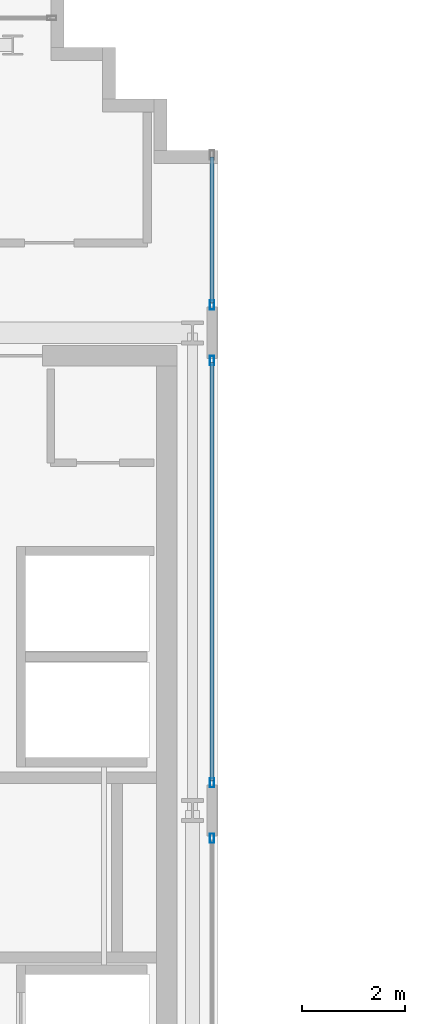
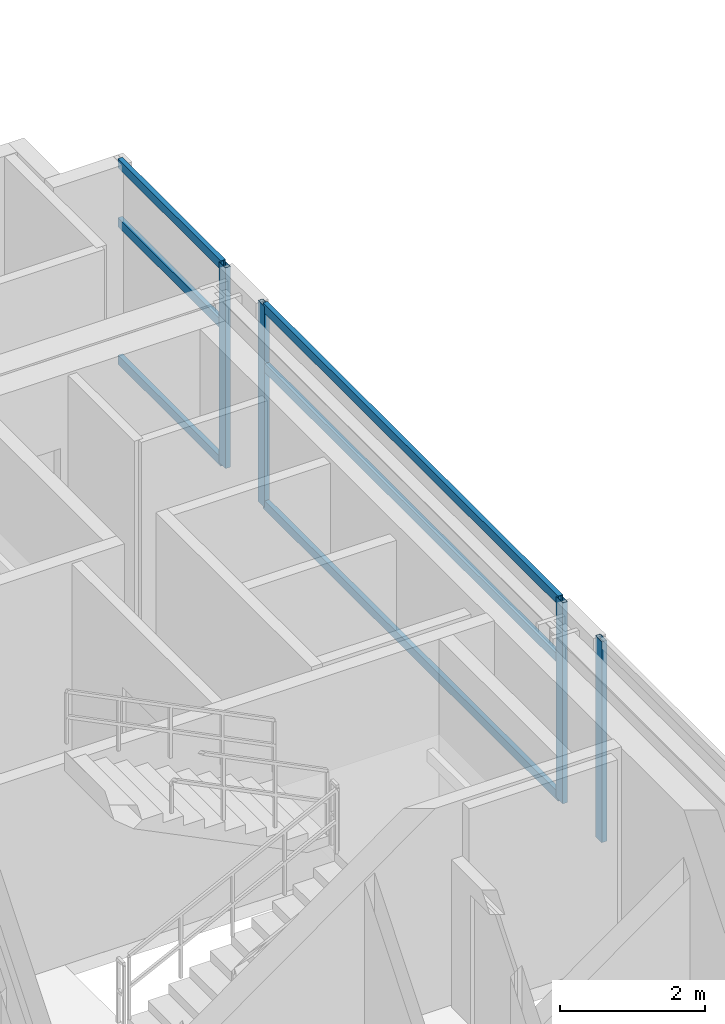
# One storey, part 7 of 25: 10 members, 3 elements without a shape of their own.
"""IFC4 building model written with IfcOpenShell, lengths in metres."""

from ifc_helpers import new_model, si_unit, direction, frame, origin, origin_2d, place, context, subcontext, project, spatial, hollow_rectangle, extrude, source, transform, mapped, material, layer, layer_set, material_profile, profile_set, type_object, element, aggregate, save


model = new_model("IFC4")

# Units and contexts
model_context = context("Model", 3, precision=1e-05, world=origin(), true_north=direction((0.0, 1.0)))
body_context = subcontext(model_context, "Body", "Model", "MODEL_VIEW")
ifc_project = project(units=[si_unit("LENGTHUNIT", "METRE"), si_unit("AREAUNIT", "SQUARE_METRE"), si_unit("VOLUMEUNIT", "CUBIC_METRE"), si_unit("PLANEANGLEUNIT", "RADIAN"), si_unit("MASSUNIT", "GRAM", prefix="KILO")], contexts=[model_context])

# Site, building, storey
site_placement = place(None, origin())
site = spatial("IfcSite", under=ifc_project, at=site_placement, CompositionType="ELEMENT")
building_placement = place(site_placement, origin())
building = spatial("IfcBuilding", under=site, at=building_placement, Name="Ocotamira Hotel", CompositionType="ELEMENT")
storey_placement = place(building_placement, frame((0.0, 0.0, 265.199951171875)))
storey = spatial("IfcBuildingStorey", under=building, at=storey_placement, Name="L67", CompositionType="ELEMENT", Elevation=265.199951171875)

# Curtain wall, member
ifc_material_1 = material(Name="Anodised pale-metal aluminium and solar glass", Category="aluminium")
ifc_layer = layer(ifc_material_1, 0.2099609375)
ifc_layer_set = layer_set([ifc_layer], Name="Anodised pale-metal aluminium and solar glass")
curtain_wall_type = type_object("IfcCurtainWallType", Name="CW-SYS7-PEAK", PredefinedType="NOTDEFINED", material=ifc_layer_set)
curtain_wall_1_placement = place(storey_placement, origin())
curtain_wall_1 = element("IfcCurtainWall", 1, at=curtain_wall_1_placement, inside=storey, type_object=curtain_wall_type, Name="L67 Curtain Wall CW-7 CW-L67-WI2", PredefinedType="NOTDEFINED")
ifc_material_2 = material(Name="Anodised pale-metal aluminium 6063-T6", Category="aluminium")
ifc_material_profile_1 = material_profile(ifc_material_2, hollow_rectangle(XDim=0.080078125, YDim=0.179931640625, WallThickness=0.006103515625, at=origin_2d()), Name="HSS180X80X6")
ifc_profile_set_1 = profile_set([ifc_material_profile_1], Name="Anodised pale-metal aluminium 6063-T6")
member_type_1 = type_object("IfcMemberType", Name="CWM-180X75", PredefinedType="MULLION", material=ifc_profile_set_1)
shared_shape_1 = source(origin(), body_context, "Body", "SweptSolid", [
    extrude(hollow_rectangle(XDim=0.080078125, YDim=0.179931640625, WallThickness=0.006103515625, at=origin_2d()), origin(), (0.0, 0.0, 1.0), 3.380126953125),
])
member_1_placement = place(storey_placement, frame((23.8798828125, 27.610107421875, 0.0), z_axis=(0.0, 0.0, 1.0), x_axis=(-1.0, 0.0, 0.0)))
member_1 = element("IfcMember", 2, at=member_1_placement, type_object=member_type_1, Name="CW-7 mullion 3", PredefinedType="MULLION", context=body_context, shape_type="MappedRepresentation", body=[
    mapped(shared_shape_1, transform((0.0, 0.0, 0.0), scale=1.0)),
])
aggregate(curtain_wall_1, [member_1])

# Curtain wall, members
curtain_wall_2_placement = place(storey_placement, origin())
curtain_wall_2 = element("IfcCurtainWall", 3, at=curtain_wall_2_placement, inside=storey, type_object=curtain_wall_type, Name="L67 Curtain Wall CW-7 CW-L67-WI3", PredefinedType="NOTDEFINED")
member_2_placement = place(storey_placement, frame((23.8798828125, 28.68994140625, 0.0), z_axis=(0.0, 0.0, 1.0), x_axis=(-1.0, 0.0, 0.0)))
member_2 = element("IfcMember", 4, at=member_2_placement, type_object=member_type_1, Name="CW-7 mullion 1", PredefinedType="MULLION", context=body_context, shape_type="MappedRepresentation", body=[
    mapped(shared_shape_1, transform((0.0, 0.0, 0.0), scale=1.0)),
])
member_3_placement = place(storey_placement, frame((23.8798828125, 36.909912109375, 0.0), z_axis=(0.0, 0.0, 1.0), x_axis=(-1.0, 0.0, 0.0)))
member_3 = element("IfcMember", 5, at=member_3_placement, type_object=member_type_1, Name="CW-7 mullion 2", PredefinedType="MULLION", context=body_context, shape_type="MappedRepresentation", body=[
    mapped(shared_shape_1, transform((0.0, 0.0, 0.0), scale=1.0)),
])

curtain_wall_3_placement = place(storey_placement, origin())
curtain_wall_3 = element("IfcCurtainWall", 6, at=curtain_wall_3_placement, inside=storey, type_object=curtain_wall_type, Name="L67 Curtain Wall CW-7 CW-L67-WI4", PredefinedType="NOTDEFINED")
member_4_placement = place(storey_placement, frame((23.8798828125, 37.989990234375, 0.0), z_axis=(0.0, 0.0, 1.0), x_axis=(-1.0, 0.0, 0.0)))
member_4 = element("IfcMember", 7, at=member_4_placement, type_object=member_type_1, Name="CW-7 mullion 1", PredefinedType="MULLION", context=body_context, shape_type="MappedRepresentation", body=[
    mapped(shared_shape_1, transform((0.0, 0.0, 0.0), scale=1.0)),
])
ifc_material_profile_2 = material_profile(ifc_material_2, hollow_rectangle(XDim=0.074951171875, YDim=0.14990234375, WallThickness=0.006103515625, at=origin_2d()), Name="HSS150X75X6")
ifc_profile_set_2 = profile_set([ifc_material_profile_2], Name="Anodised pale-metal aluminium 6063-T6")
member_type_2 = type_object("IfcMemberType", Name="CWT-150X75", PredefinedType="USERDEFINED", material=ifc_profile_set_2)
shared_shape_2 = source(origin(), body_context, "Body", "SweptSolid", [
    extrude(hollow_rectangle(XDim=0.074951171875, YDim=0.14990234375, WallThickness=0.006103515625, at=origin_2d()), origin(), (0.0, 0.0, 1.0), 2.840087890625),
])
member_5_placement = place(storey_placement, frame((23.8798828125, 38.030029296875, 0.03759765625), z_axis=(0.0, 1.0, 0.0), x_axis=(-1.0, 0.0, 0.0)))
member_5 = element("IfcMember", 8, at=member_5_placement, type_object=member_type_2, Name="CW-7 transom 1.1", ObjectType="TRANSOM", PredefinedType="USERDEFINED", context=body_context, shape_type="MappedRepresentation", body=[
    mapped(shared_shape_2, transform((0.0, 0.0, 0.0), scale=1.0)),
])
member_6_placement = place(storey_placement, frame((23.8798828125, 38.030029296875, 2.35009765625), z_axis=(0.0, 1.0, 0.0), x_axis=(-1.0, 0.0, 0.0)))
member_6 = element("IfcMember", 9, at=member_6_placement, type_object=member_type_2, Name="CW-7 transom 1.2", ObjectType="TRANSOM", PredefinedType="USERDEFINED", context=body_context, shape_type="MappedRepresentation", body=[
    mapped(shared_shape_2, transform((0.0, 0.0, 0.0), scale=1.0)),
])
member_7_placement = place(storey_placement, frame((23.8798828125, 38.030029296875, 3.342529296875), z_axis=(0.0, 1.0, 0.0), x_axis=(-1.0, 0.0, 0.0)))
member_7 = element("IfcMember", 10, at=member_7_placement, type_object=member_type_2, Name="CW-7 transom 1.3", ObjectType="TRANSOM", PredefinedType="USERDEFINED", context=body_context, shape_type="MappedRepresentation", body=[
    mapped(shared_shape_2, transform((0.0, 0.0, 0.0), scale=1.0)),
])
aggregate(curtain_wall_3, [member_4, member_5, member_6, member_7])

# Member
shared_shape_3 = source(origin(), body_context, "Body", "SweptSolid", [
    extrude(hollow_rectangle(XDim=0.074951171875, YDim=0.14990234375, WallThickness=0.006103515625, at=origin_2d()), origin(), (0.0, 0.0, 1.0), 8.14013671875),
])
member_8_placement = place(storey_placement, frame((23.8798828125, 28.72998046875, 0.03759765625), z_axis=(0.0, 1.0, 0.0), x_axis=(-1.0, 0.0, 0.0)))
member_8 = element("IfcMember", 11, at=member_8_placement, type_object=member_type_2, Name="CW-7 transom 1.1", ObjectType="TRANSOM", PredefinedType="USERDEFINED", context=body_context, shape_type="MappedRepresentation", body=[
    mapped(shared_shape_3, transform((0.0, 0.0, 0.0), scale=1.0)),
])

member_9_placement = place(storey_placement, frame((23.8798828125, 28.72998046875, 2.35009765625), z_axis=(0.0, 1.0, 0.0), x_axis=(-1.0, 0.0, 0.0)))
member_9 = element("IfcMember", 12, at=member_9_placement, type_object=member_type_2, Name="CW-7 transom 1.2", ObjectType="TRANSOM", PredefinedType="USERDEFINED", context=body_context, shape_type="MappedRepresentation", body=[
    mapped(shared_shape_3, transform((0.0, 0.0, 0.0), scale=1.0)),
])

member_10_placement = place(storey_placement, frame((23.8798828125, 28.72998046875, 3.342529296875), z_axis=(0.0, 1.0, 0.0), x_axis=(-1.0, 0.0, 0.0)))
member_10 = element("IfcMember", 13, at=member_10_placement, type_object=member_type_2, Name="CW-7 transom 1.3", ObjectType="TRANSOM", PredefinedType="USERDEFINED", context=body_context, shape_type="MappedRepresentation", body=[
    mapped(shared_shape_3, transform((0.0, 0.0, 0.0), scale=1.0)),
])

aggregate(curtain_wall_2, [member_2, member_3, member_8, member_9, member_10])

save(model, "model.ifc")
